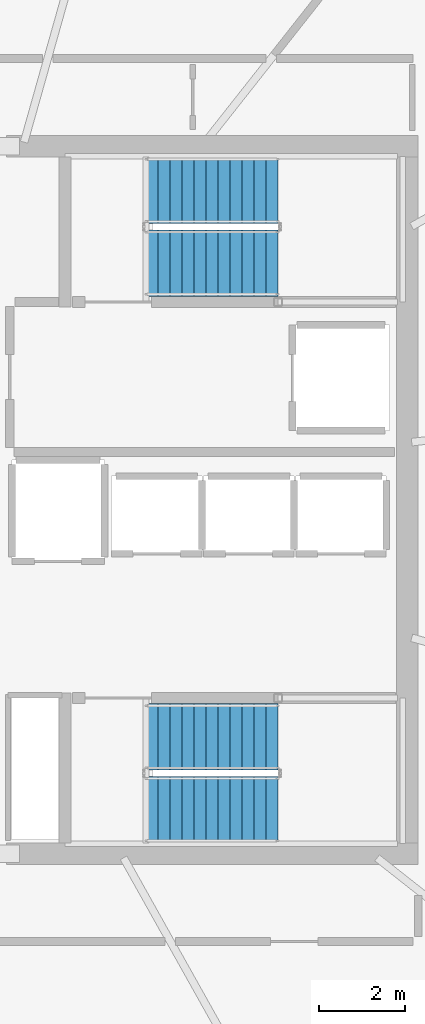
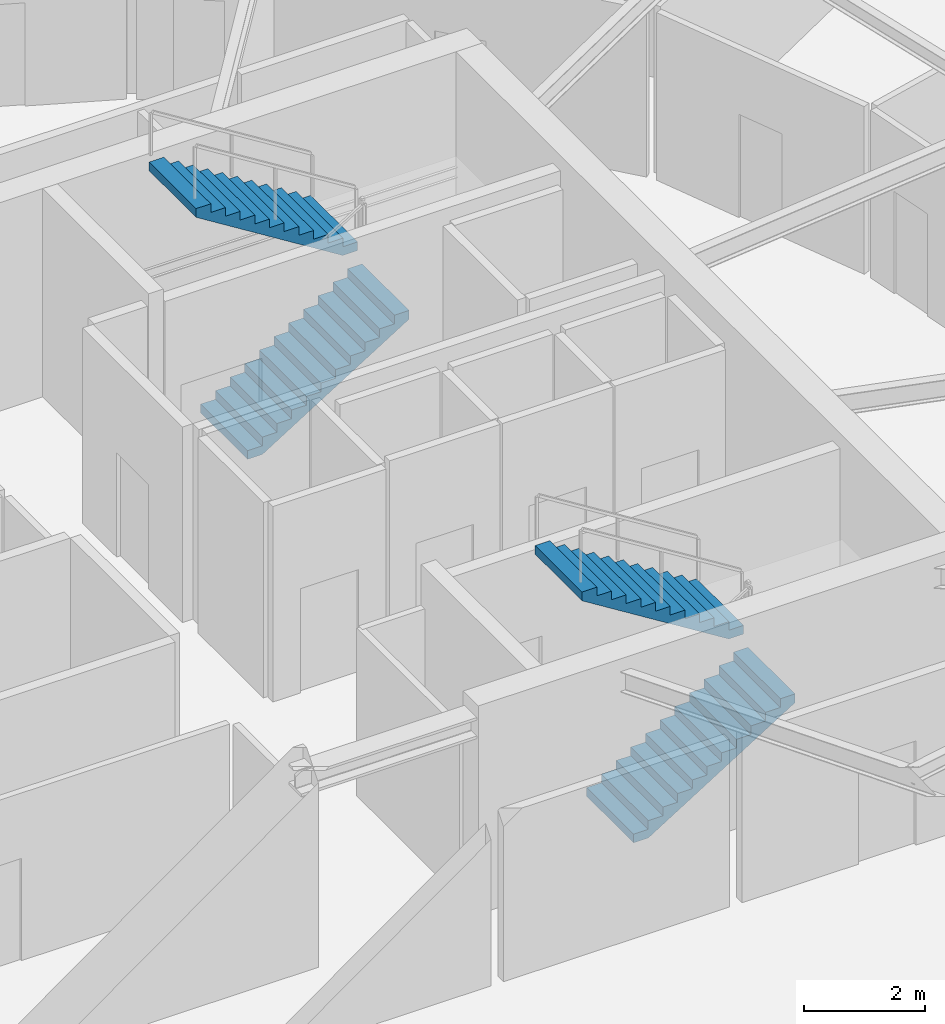
# One storey, part 15 of 20: 4 stair flights, 2 elements without a shape of their own.
"""IFC4 building model written with IfcOpenShell, lengths in metres."""

from ifc_helpers import new_model, si_unit, direction, frame, origin, place, context, subcontext, project, spatial, polyline, outline, extrude, material, type_object, element, aggregate, save


model = new_model("IFC4")

# Units and contexts
model_context = context("Model", 3, precision=1e-05, world=origin(), true_north=direction((0.0, 1.0)))
body_context = subcontext(model_context, "Body", "Model", "MODEL_VIEW")
ifc_project = project(units=[si_unit("LENGTHUNIT", "METRE"), si_unit("AREAUNIT", "SQUARE_METRE"), si_unit("VOLUMEUNIT", "CUBIC_METRE"), si_unit("PLANEANGLEUNIT", "RADIAN"), si_unit("MASSUNIT", "GRAM", prefix="KILO")], contexts=[model_context])

# Site, building, storey
site_placement = place(None, origin())
site = spatial("IfcSite", under=ifc_project, at=site_placement, CompositionType="ELEMENT")
building_placement = place(site_placement, origin())
building = spatial("IfcBuilding", under=site, at=building_placement, Name="Kazma Halo Residences", CompositionType="ELEMENT")
storey_placement = place(building_placement, frame((0.0, 0.0, 317.89990234375)))
storey = spatial("IfcBuildingStorey", under=building, at=storey_placement, Name="L80", CompositionType="ELEMENT", Elevation=317.89990234375)

# Stair, stair flights
ifc_material = material(Name="Concrete C50/60", Category="concrete")
stair_type = type_object("IfcStairType", Name="STR-RES2", PredefinedType="HALF_TURN_STAIR", material=ifc_material)
stair_1_placement = place(storey_placement, origin())
stair_1 = element("IfcStair", 1, at=stair_1_placement, inside=storey, type_object=stair_type, Name="L80 Core exit stair ST-02", PredefinedType="HALF_TURN_STAIR")
stair_flight_type = type_object("IfcStairFlightType", Name="STR-RES2-FLT", PredefinedType="STRAIGHT", material=ifc_material)
stair_flight_1_placement = place(storey_placement, frame((53.199951171875, 47.52490234375, 0.0), z_axis=(0.0, 0.0, 1.0), x_axis=(1.0, 0.0, 0.0)))
stair_flight_1 = element("IfcStairFlight", 2, at=stair_flight_1_placement, type_object=stair_flight_type, Name="ST-02 flight 1", NumberOfRisers=12, NumberOfTreads=11, PredefinedType="STRAIGHT", RiserHeight=0.175, TreadLength=0.28, context=body_context, shape_type="SweptSolid", body=[
    extrude(outline(polyline([(0.0, 0.0), (0.0, 0.175048828125), (0.280029296875, 0.175048828125), (0.280029296875, 0.35009765625), (0.56005859375, 0.35009765625), (0.56005859375, 0.52490234375), (0.840087890625, 0.52490234375), (0.840087890625, 0.699951171875), (1.1201171875, 0.699951171875), (1.1201171875, 0.875), (1.39990234375, 0.875), (1.39990234375, 1.050048828125), (1.679931640625, 1.050048828125), (1.679931640625, 1.22509765625), (1.9599609375, 1.22509765625), (1.9599609375, 1.39990234375), (2.239990234375, 1.39990234375), (2.239990234375, 1.574951171875), (2.52001953125, 1.574951171875), (2.52001953125, 1.75), (2.800048828125, 1.75), (2.800048828125, 1.925048828125), (3.080078125, 1.925048828125), (3.080078125, 2.10009765625), (3.080078125, 1.748291015625), (0.28271484375, 0.0), (0.0, 0.0)])), frame((0.0, 0.77490234375, 0.0), z_axis=(0.0, -1.0, 0.0), x_axis=(1.0, 0.0, 0.0)), (0.0, 0.0, 1.0), 1.550048828125),
])
stair_flight_2_placement = place(storey_placement, frame((56.280029296875, 49.22509765625, 2.10009765625), z_axis=(0.0, 0.0, 1.0), x_axis=(-1.0, 0.0, 0.0)))
stair_flight_2 = element("IfcStairFlight", 3, at=stair_flight_2_placement, type_object=stair_flight_type, Name="ST-02 flight 2", NumberOfRisers=12, NumberOfTreads=11, PredefinedType="STRAIGHT", RiserHeight=0.175, TreadLength=0.28, context=body_context, shape_type="SweptSolid", body=[
    extrude(outline(polyline([(0.0, 0.0), (0.0, 0.175048828125), (0.280029296875, 0.175048828125), (0.280029296875, 0.35009765625), (0.56005859375, 0.35009765625), (0.56005859375, 0.52490234375), (0.840087890625, 0.52490234375), (0.840087890625, 0.699951171875), (1.1201171875, 0.699951171875), (1.1201171875, 0.875), (1.39990234375, 0.875), (1.39990234375, 1.050048828125), (1.679931640625, 1.050048828125), (1.679931640625, 1.22509765625), (1.9599609375, 1.22509765625), (1.9599609375, 1.39990234375), (2.239990234375, 1.39990234375), (2.239990234375, 1.574951171875), (2.52001953125, 1.574951171875), (2.52001953125, 1.75), (2.800048828125, 1.75), (2.800048828125, 1.925048828125), (3.080078125, 1.925048828125), (3.080078125, 2.10009765625), (3.080078125, 1.748291015625), (0.28271484375, 0.0), (0.0, 0.0)])), frame((0.0, 0.77490234375, 0.0), z_axis=(0.0, -1.0, 0.0), x_axis=(1.0, 0.0, 0.0)), (0.0, 0.0, 1.0), 1.550048828125),
])
aggregate(stair_1, [stair_flight_1, stair_flight_2])

stair_2_placement = place(storey_placement, origin())
stair_2 = element("IfcStair", 4, at=stair_2_placement, inside=storey, type_object=stair_type, Name="L80 Core exit stair ST-03", PredefinedType="HALF_TURN_STAIR")
stair_flight_3_placement = place(storey_placement, frame((53.199951171875, 34.77490234375, 0.0), z_axis=(0.0, 0.0, 1.0), x_axis=(1.0, 0.0, 0.0)))
stair_flight_3 = element("IfcStairFlight", 5, at=stair_flight_3_placement, type_object=stair_flight_type, Name="ST-03 flight 1", NumberOfRisers=12, NumberOfTreads=11, PredefinedType="STRAIGHT", RiserHeight=0.175, TreadLength=0.28, context=body_context, shape_type="SweptSolid", body=[
    extrude(outline(polyline([(0.0, 0.0), (0.0, 0.175048828125), (0.280029296875, 0.175048828125), (0.280029296875, 0.35009765625), (0.56005859375, 0.35009765625), (0.56005859375, 0.52490234375), (0.840087890625, 0.52490234375), (0.840087890625, 0.699951171875), (1.1201171875, 0.699951171875), (1.1201171875, 0.875), (1.39990234375, 0.875), (1.39990234375, 1.050048828125), (1.679931640625, 1.050048828125), (1.679931640625, 1.22509765625), (1.9599609375, 1.22509765625), (1.9599609375, 1.39990234375), (2.239990234375, 1.39990234375), (2.239990234375, 1.574951171875), (2.52001953125, 1.574951171875), (2.52001953125, 1.75), (2.800048828125, 1.75), (2.800048828125, 1.925048828125), (3.080078125, 1.925048828125), (3.080078125, 2.10009765625), (3.080078125, 1.748291015625), (0.28271484375, 0.0), (0.0, 0.0)])), frame((0.0, 0.77490234375, 0.0), z_axis=(0.0, -1.0, 0.0), x_axis=(1.0, 0.0, 0.0)), (0.0, 0.0, 1.0), 1.550048828125),
])
stair_flight_4_placement = place(storey_placement, frame((56.280029296875, 36.47509765625, 2.10009765625), z_axis=(0.0, 0.0, 1.0), x_axis=(-1.0, 0.0, 0.0)))
stair_flight_4 = element("IfcStairFlight", 6, at=stair_flight_4_placement, type_object=stair_flight_type, Name="ST-03 flight 2", NumberOfRisers=12, NumberOfTreads=11, PredefinedType="STRAIGHT", RiserHeight=0.175, TreadLength=0.28, context=body_context, shape_type="SweptSolid", body=[
    extrude(outline(polyline([(0.0, 0.0), (0.0, 0.175048828125), (0.280029296875, 0.175048828125), (0.280029296875, 0.35009765625), (0.56005859375, 0.35009765625), (0.56005859375, 0.52490234375), (0.840087890625, 0.52490234375), (0.840087890625, 0.699951171875), (1.1201171875, 0.699951171875), (1.1201171875, 0.875), (1.39990234375, 0.875), (1.39990234375, 1.050048828125), (1.679931640625, 1.050048828125), (1.679931640625, 1.22509765625), (1.9599609375, 1.22509765625), (1.9599609375, 1.39990234375), (2.239990234375, 1.39990234375), (2.239990234375, 1.574951171875), (2.52001953125, 1.574951171875), (2.52001953125, 1.75), (2.800048828125, 1.75), (2.800048828125, 1.925048828125), (3.080078125, 1.925048828125), (3.080078125, 2.10009765625), (3.080078125, 1.748291015625), (0.28271484375, 0.0), (0.0, 0.0)])), frame((0.0, 0.77490234375, 0.0), z_axis=(0.0, -1.0, 0.0), x_axis=(1.0, 0.0, 0.0)), (0.0, 0.0, 1.0), 1.550048828125),
])
aggregate(stair_2, [stair_flight_3, stair_flight_4])

save(model, "model.ifc")
